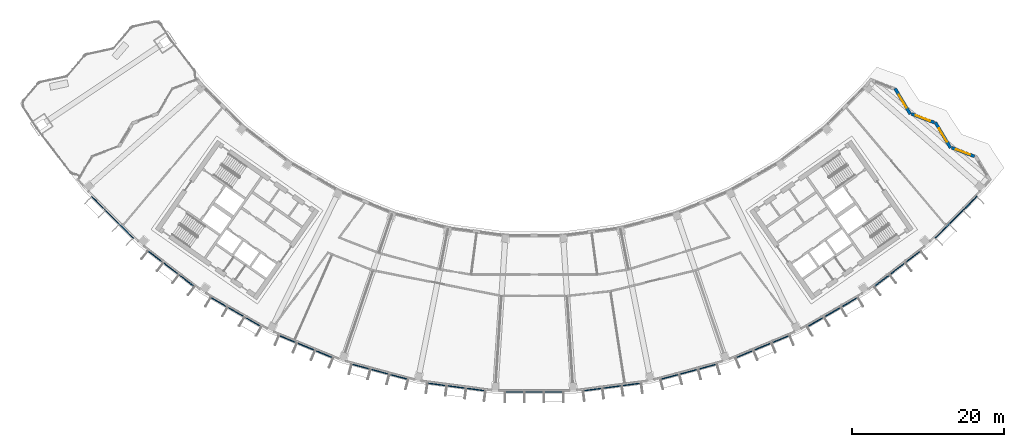
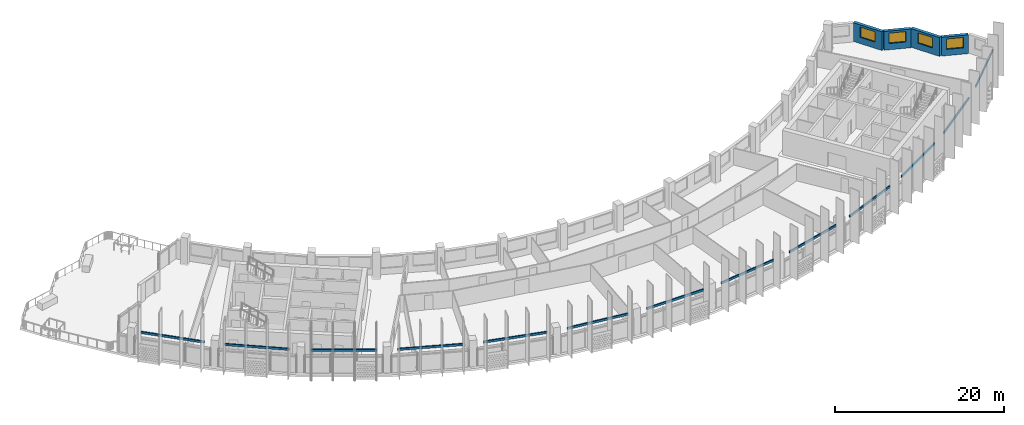
# One storey, part 7 of 29: 13 discrete accessories, 4 walls, 4 windows, 4 openings.
"""IFC4 building model written with IfcOpenShell, lengths in metres."""

from ifc_helpers import new_model, si_unit, direction, frame, frame_2d, origin, origin_2d, place, context, subcontext, project, spatial, rectangle, extrude, material, layer, layer_set, type_object, element, fill, save


model = new_model("IFC4")

# Units and contexts
model_context = context("Model", 3, precision=1e-05, world=origin(), true_north=direction((0.0, 1.0)))
body_context = subcontext(model_context, "Body", "Model", "MODEL_VIEW")
ifc_project = project(units=[si_unit("LENGTHUNIT", "METRE"), si_unit("AREAUNIT", "SQUARE_METRE"), si_unit("VOLUMEUNIT", "CUBIC_METRE"), si_unit("PLANEANGLEUNIT", "RADIAN"), si_unit("MASSUNIT", "GRAM", prefix="KILO")], contexts=[model_context])

# Site, building, storey
site_placement = place(None, origin())
site = spatial("IfcSite", under=ifc_project, at=site_placement, CompositionType="ELEMENT")
building_placement = place(site_placement, origin())
building = spatial("IfcBuilding", under=site, at=building_placement, Name="Qamariyya Broadcast Tower", CompositionType="ELEMENT")
storey_placement = place(building_placement, frame((0.0, 0.0, 258.10009765625)))
storey = spatial("IfcBuildingStorey", under=building, at=storey_placement, Name="L62", CompositionType="ELEMENT", Elevation=258.10009765625)

# Wall, opening, window
ifc_material_1 = material(Name="Terracotta", Category="masonry")
ifc_layer = layer(ifc_material_1, 0.39990234375)
ifc_layer_set = layer_set([ifc_layer], Name="Terracotta clad wall 400")
wall_type = type_object("IfcWallType", Name="Terracotta clad wall 400", PredefinedType="SOLIDWALL", material=ifc_layer_set)
wall_1_placement = place(storey_placement, frame((57.756103515625, -47.353515625, 0.0), z_axis=(0.0, 0.0, 1.0), x_axis=(-0.934701479538, 0.355433740872, 0.0)))
wall_1 = element("IfcWall", 1, at=wall_1_placement, inside=storey, type_object=wall_type, Name="e-wl-L62-capE1", PredefinedType="SOLIDWALL", context=body_context, shape_type="SweptSolid", body=[
    extrude(rectangle(XDim=3.2001953125, YDim=0.39990234375, at=frame_2d((1.60009765625, 0.0))), origin(), (0.0, 0.0, 1.0), 2.699951171875),
])
opening_1_placement = place(wall_1_placement, frame((0.60009765625, 0.0, 0.89990234375)))
opening_1 = element("IfcOpeningElement", 2, at=opening_1_placement, cuts=wall_1, Name="Opening W4", PredefinedType="OPENING", context=body_context, shape_type="SweptSolid", body=[
    extrude(rectangle(XDim=2.0, YDim=1.5, at=frame_2d((1.0, 0.75))), frame((0.0, 0.2099609375, 0.0), z_axis=(0.0, -1.0, 0.0), x_axis=(1.0, 0.0, 0.0)), (0.0, 0.0, 1.0), 0.419921875),
])
ifc_material_2 = material(Name="Clear low-e double glazed unit in aluminium frame", Category="aluminium")
window_type = type_object("IfcWindowType", Name="Horn bay window 2000 x 1500", PartitioningType="SINGLE_PANEL", PredefinedType="WINDOW", material=ifc_material_2)
window_1_placement = place(opening_1_placement, origin())
window_1 = element("IfcWindow", 3, at=window_1_placement, inside=storey, type_object=window_type, Name="e-w-L62-capE1", OverallHeight=1.5, OverallWidth=2.0, PartitioningType="SINGLE_PANEL", PredefinedType="WINDOW", context=body_context, shape_type="SweptSolid", body=[
    extrude(rectangle(XDim=2.0, YDim=1.5, at=frame_2d((1.0, 0.75))), frame((0.0, 0.030029296875, 0.0), z_axis=(0.0, -1.0, 0.0), x_axis=(1.0, 0.0, 0.0)), (0.0, 0.0, 1.0), 0.06005859375),
])
fill(opening_1, window_1)

wall_2_placement = place(storey_placement, frame((54.621826171875, -46.244384765625, 0.0), z_axis=(0.0, 0.0, 1.0), x_axis=(-0.512466414757, 0.858707268949, 0.0)))
wall_2 = element("IfcWall", 4, at=wall_2_placement, inside=storey, type_object=wall_type, Name="e-wl-L62-capE2", PredefinedType="SOLIDWALL", context=body_context, shape_type="SweptSolid", body=[
    extrude(rectangle(XDim=3.91259765625, YDim=0.39990234375, at=frame_2d((1.956298828125, 0.0))), origin(), (0.0, 0.0, 1.0), 2.699951171875),
])
opening_2_placement = place(wall_2_placement, frame((0.956298828125, 0.0, 0.89990234375)))
opening_2 = element("IfcOpeningElement", 5, at=opening_2_placement, cuts=wall_2, Name="Opening W4", PredefinedType="OPENING", context=body_context, shape_type="SweptSolid", body=[
    extrude(rectangle(XDim=2.0, YDim=1.5, at=frame_2d((1.0, 0.75))), frame((0.0, 0.2099609375, 0.0), z_axis=(0.0, -1.0, 0.0), x_axis=(1.0, 0.0, 0.0)), (0.0, 0.0, 1.0), 0.419921875),
])
window_2_placement = place(opening_2_placement, origin())
window_2 = element("IfcWindow", 6, at=window_2_placement, inside=storey, type_object=window_type, Name="e-w-L62-capE2", OverallHeight=1.5, OverallWidth=2.0, PartitioningType="SINGLE_PANEL", PredefinedType="WINDOW", context=body_context, shape_type="SweptSolid", body=[
    extrude(rectangle(XDim=2.0, YDim=1.5, at=frame_2d((1.0, 0.75))), frame((0.0, 0.030029296875, 0.0), z_axis=(0.0, -1.0, 0.0), x_axis=(1.0, 0.0, 0.0)), (0.0, 0.0, 1.0), 0.06005859375),
])
fill(opening_2, window_2)

wall_3_placement = place(storey_placement, frame((52.473388671875, -42.9130859375, 0.0), z_axis=(0.0, 0.0, 1.0), x_axis=(-0.934713622051, 0.35540180747, 0.0)))
wall_3 = element("IfcWall", 7, at=wall_3_placement, inside=storey, type_object=wall_type, Name="e-wl-L62-capE3", PredefinedType="SOLIDWALL", context=body_context, shape_type="SweptSolid", body=[
    extrude(rectangle(XDim=3.198974609375, YDim=0.39990234375, at=frame_2d((1.599609375, 0.0))), origin(), (0.0, 0.0, 1.0), 2.699951171875),
])
opening_3_placement = place(wall_3_placement, frame((0.599609375, 0.0, 0.89990234375)))
opening_3 = element("IfcOpeningElement", 8, at=opening_3_placement, cuts=wall_3, Name="Opening W4", PredefinedType="OPENING", context=body_context, shape_type="SweptSolid", body=[
    extrude(rectangle(XDim=2.0, YDim=1.5, at=frame_2d((1.0, 0.75))), frame((0.0, 0.2099609375, 0.0), z_axis=(0.0, -1.0, 0.0), x_axis=(1.0, 0.0, 0.0)), (0.0, 0.0, 1.0), 0.419921875),
])
window_3_placement = place(opening_3_placement, origin())
window_3 = element("IfcWindow", 9, at=window_3_placement, inside=storey, type_object=window_type, Name="e-w-L62-capE3", OverallHeight=1.5, OverallWidth=2.0, PartitioningType="SINGLE_PANEL", PredefinedType="WINDOW", context=body_context, shape_type="SweptSolid", body=[
    extrude(rectangle(XDim=2.0, YDim=1.5, at=frame_2d((1.0, 0.75))), frame((0.0, 0.030029296875, 0.0), z_axis=(0.0, -1.0, 0.0), x_axis=(1.0, 0.0, 0.0)), (0.0, 0.0, 1.0), 0.06005859375),
])
fill(opening_3, window_3)

wall_4_placement = place(storey_placement, frame((49.33984375, -41.8046875, 0.0), z_axis=(0.0, 0.0, 1.0), x_axis=(-0.51249460293, 0.858690445951, 0.0)))
wall_4 = element("IfcWall", 10, at=wall_4_placement, inside=storey, type_object=wall_type, Name="e-wl-L62-capE4", PredefinedType="SOLIDWALL", context=body_context, shape_type="SweptSolid", body=[
    extrude(rectangle(XDim=3.913818359375, YDim=0.39990234375, at=frame_2d((1.95703125, 0.0))), origin(), (0.0, 0.0, 1.0), 2.699951171875),
])
opening_4_placement = place(wall_4_placement, frame((0.95703125, 0.0, 0.89990234375)))
opening_4 = element("IfcOpeningElement", 11, at=opening_4_placement, cuts=wall_4, Name="Opening W4", PredefinedType="OPENING", context=body_context, shape_type="SweptSolid", body=[
    extrude(rectangle(XDim=2.0, YDim=1.5, at=frame_2d((1.0, 0.75))), frame((0.0, 0.2099609375, 0.0), z_axis=(0.0, -1.0, 0.0), x_axis=(1.0, 0.0, 0.0)), (0.0, 0.0, 1.0), 0.419921875),
])
window_4_placement = place(opening_4_placement, origin())
window_4 = element("IfcWindow", 12, at=window_4_placement, inside=storey, type_object=window_type, Name="e-w-L62-capE4", OverallHeight=1.5, OverallWidth=2.0, PartitioningType="SINGLE_PANEL", PredefinedType="WINDOW", context=body_context, shape_type="SweptSolid", body=[
    extrude(rectangle(XDim=2.0, YDim=1.5, at=frame_2d((1.0, 0.75))), frame((0.0, 0.030029296875, 0.0), z_axis=(0.0, -1.0, 0.0), x_axis=(1.0, 0.0, 0.0)), (0.0, 0.0, 1.0), 0.06005859375),
])
fill(opening_4, window_4)

# Discrete accessories
ifc_material_3 = material(Name="Stainless steel 316", Category="steel")
discrete_accessory_type = type_object("IfcDiscreteAccessoryType", Name="Slab edge fixing angle, stainless steel", PredefinedType="BRACKET", material=ifc_material_3)
for number, where, z_axis, x_axis, name in (
    (13, (-55.336181640625, -55.336181640625, 3.2998046875), (0.0, 0.0, 1.0), (0.707106781187, -0.707106781187, 0.0), "e-br-L62-01-0"),
    (14, (-47.639892578125, -62.085693359375, 3.2998046875), (0.0, 0.0, 1.0), (0.793353340291, -0.608761429009, 0.0), "e-br-L62-02-0"),
    (15, (-39.128662109375, -67.772705078125, 3.2998046875), (0.0, 0.0, 1.0), (0.866025403784, -0.5, 0.0), "e-br-L62-03-0"),
    (16, (-29.94775390625, -72.30029296875, 3.2998046875), (0.0, 0.0, 1.0), (0.923879532511, -0.382683432365, 0.0), "e-br-L62-04-0"),
    (17, (-20.25439453125, -75.590576171875, 3.2998046875), (0.0, 0.0, 1.0), (0.965925826289, -0.258819045103, 0.0), "e-br-L62-05-0"),
    (18, (-10.214599609375, -77.587646484375, 3.2998046875), (0.0, 0.0, 1.0), (0.991444861374, -0.13052619222, 0.0), "e-br-L62-06-0"),
    (19, (0.0, -78.25732421875, 3.2998046875), (0.0, 0.0, 1.0), (1.0, 0.0, 0.0), "e-br-L62-07-0"),
    (20, (10.214599609375, -77.587646484375, 3.2998046875), (0.0, 0.0, 1.0), (0.991444861374, 0.13052619222, 0.0), "e-br-L62-08-0"),
    (21, (20.25439453125, -75.590576171875, 3.2998046875), (0.0, 0.0, 1.0), (0.965925826289, 0.258819045103, 0.0), "e-br-L62-09-0"),
    (22, (29.94775390625, -72.30029296875, 3.2998046875), (0.0, 0.0, 1.0), (0.923879532511, 0.382683432365, 0.0), "e-br-L62-10-0"),
    (23, (39.128662109375, -67.772705078125, 3.2998046875), (0.0, 0.0, 1.0), (0.866025403784, 0.5, 0.0), "e-br-L62-11-0"),
    (24, (47.639892578125, -62.085693359375, 3.2998046875), (0.0, 0.0, 1.0), (0.793353340291, 0.608761429009, 0.0), "e-br-L62-12-0"),
    (25, (55.336181640625, -55.336181640625, 3.2998046875), (0.0, 0.0, 1.0), (0.707106781187, 0.707106781187, 0.0), "e-br-L62-13-0"),
):
    element("IfcDiscreteAccessory", number, at=place(storey_placement, frame(where, z_axis=z_axis, x_axis=x_axis)), inside=storey, type_object=discrete_accessory_type, Name=name, PredefinedType="BRACKET", context=body_context, shape_type="SweptSolid", body=[
        extrude(rectangle(XDim=7.78662109375, YDim=0.14990234375, at=origin_2d()), origin(), (0.0, 0.0, 1.0), 0.300048828125),
    ])

save(model, "model.ifc")
